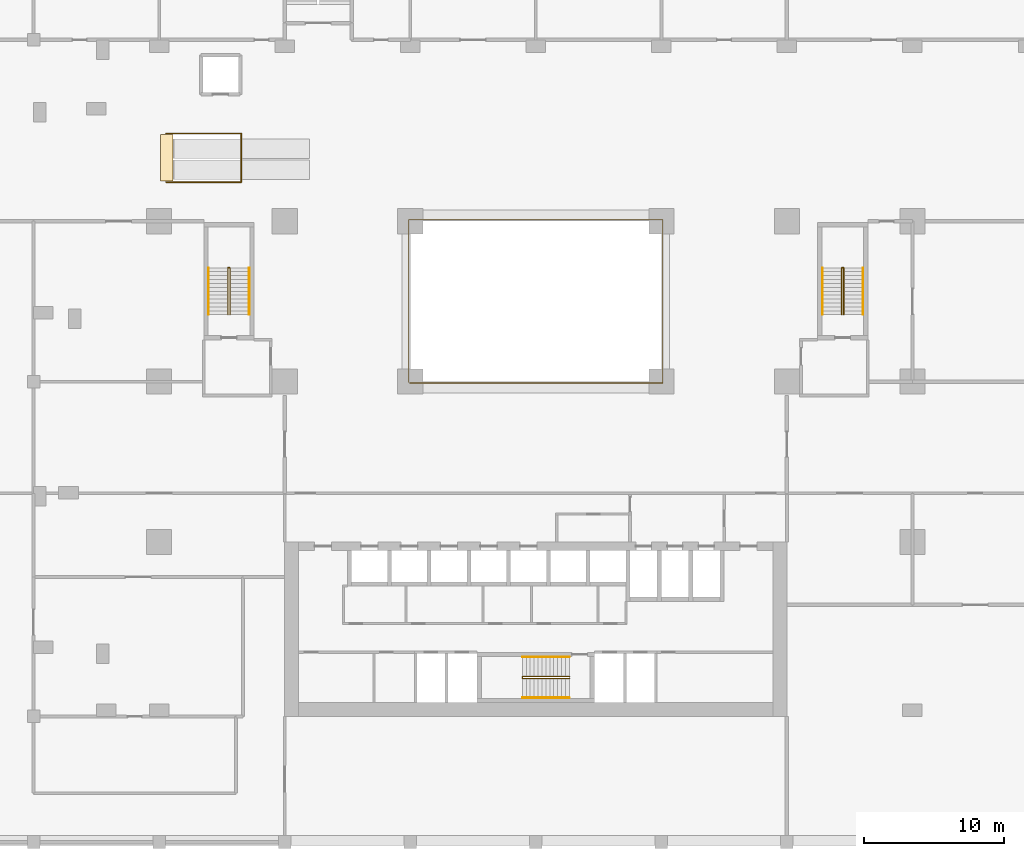
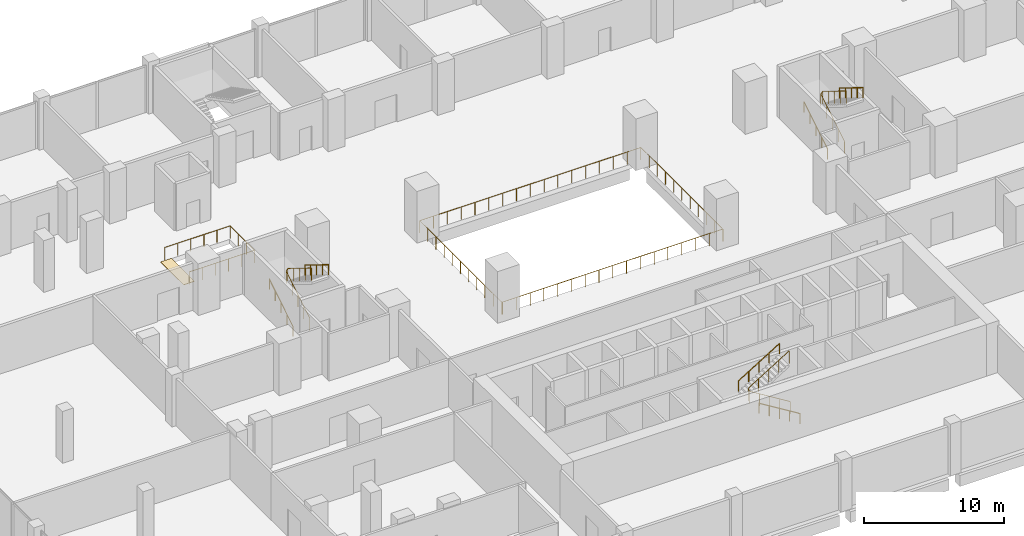
# One storey, part 21 of 22: 11 railings, 1 covering.
"""IFC4 building model written with IfcOpenShell, lengths in metres."""

from ifc_helpers import new_model, si_unit, direction, frame, origin, origin_2d, place, context, subcontext, project, spatial, polyline, circle, outline, extrude, material, layer, layer_set, type_object, element, save


model = new_model("IFC4")

# Units and contexts
model_context = context("Model", 3, precision=1e-05, world=origin(), true_north=direction((0.0, 1.0)))
body_context = subcontext(model_context, "Body", "Model", "MODEL_VIEW")
ifc_project = project(units=[si_unit("LENGTHUNIT", "METRE"), si_unit("AREAUNIT", "SQUARE_METRE"), si_unit("VOLUMEUNIT", "CUBIC_METRE"), si_unit("PLANEANGLEUNIT", "RADIAN"), si_unit("MASSUNIT", "GRAM", prefix="KILO")], contexts=[model_context])

# Site, building, storey
site_placement = place(None, origin())
site = spatial("IfcSite", under=ifc_project, at=site_placement, CompositionType="ELEMENT")
building_placement = place(site_placement, origin())
building = spatial("IfcBuilding", under=site, at=building_placement, Name="Brigalow Station Residences", CompositionType="ELEMENT")
storey_placement = place(building_placement, frame((0.0, 0.0, 6.5)))
storey = spatial("IfcBuildingStorey", under=building, at=storey_placement, Name="L01", CompositionType="ELEMENT", Elevation=6.5)

# Covering
ifc_material_1 = material(Name="Aluminium ribbed floor plate", Category="aluminium")
ifc_layer = layer(ifc_material_1, 0.030029296875)
ifc_layer_set = layer_set([ifc_layer], Name="ESCALATOR LANDING PLATE")
covering_type = type_object("IfcCoveringType", Name="ESCALATOR LANDING PLATE", PredefinedType="FLOORING", material=ifc_layer_set)
covering_placement = place(storey_placement, origin())
element("IfcCovering", 1, at=covering_placement, inside=storey, type_object=covering_type, Name="Escalator landing plate", PredefinedType="FLOORING", context=body_context, shape_type="SweptSolid", body=[
    extrude(outline(polyline([(9.10009765625, 38.39990234375), (10.0, 38.39990234375), (10.0, 41.699951171875), (9.10009765625, 41.699951171875), (9.10009765625, 38.39990234375)])), origin(), (0.0, 0.0, 1.0), 0.030029296875),
])

# Railings
ifc_material_2 = material(Name="Stainless steel and toughened glass", Category="steel")
railing_type_1 = type_object("IfcRailingType", Name="GUARD 1100", PredefinedType="GUARDRAIL", material=ifc_material_2)
railing_1_placement = place(storey_placement, frame((9.5, 38.300048828125, 0.0)))
element("IfcRailing", 2, at=railing_1_placement, inside=storey, type_object=railing_type_1, Name="Escalator well PB guard", PredefinedType="GUARDRAIL", context=body_context, shape_type="SweptSolid", body=[
    extrude(circle(Radius=0.02392578125, at=origin_2d()), frame((0.0, 0.0, 1.076171875), z_axis=(1.0, 0.0, 0.0), x_axis=(0.0, 1.0, 0.0)), (0.0, 0.0, 1.0), 5.3798828125),
    extrude(circle(Radius=0.02392578125, at=origin_2d()), frame((5.3798828125, 0.0, 1.076171875), z_axis=(0.0, 1.0, 0.0), x_axis=(-1.0, 0.0, 0.0)), (0.0, 0.0, 1.0), 3.5),
    extrude(circle(Radius=0.02392578125, at=origin_2d()), frame((5.3798828125, 3.5, 1.076171875), z_axis=(-1.0, 0.0, 0.0), x_axis=(0.0, -1.0, 0.0)), (0.0, 0.0, 1.0), 5.3798828125),
    extrude(circle(Radius=0.02099609375, at=origin_2d()), origin(), (0.0, 0.0, 1.0), 1.052001953125),
    extrude(circle(Radius=0.02099609375, at=origin_2d()), frame((1.075927734375, 0.0, 0.0)), (0.0, 0.0, 1.0), 1.052001953125),
    extrude(circle(Radius=0.02099609375, at=origin_2d()), frame((2.15185546875, 0.0, 0.0)), (0.0, 0.0, 1.0), 1.052001953125),
    extrude(circle(Radius=0.02099609375, at=origin_2d()), frame((3.22802734375, 0.0, 0.0)), (0.0, 0.0, 1.0), 1.052001953125),
    extrude(circle(Radius=0.02099609375, at=origin_2d()), frame((4.303955078125, 0.0, 0.0)), (0.0, 0.0, 1.0), 1.052001953125),
    extrude(circle(Radius=0.02099609375, at=origin_2d()), frame((5.3798828125, 0.0, 0.0)), (0.0, 0.0, 1.0), 1.052001953125),
    extrude(circle(Radius=0.02099609375, at=origin_2d()), frame((5.3798828125, 1.166748046875, 0.0)), (0.0, 0.0, 1.0), 1.052001953125),
    extrude(circle(Radius=0.02099609375, at=origin_2d()), frame((5.3798828125, 2.333251953125, 0.0)), (0.0, 0.0, 1.0), 1.052001953125),
    extrude(circle(Radius=0.02099609375, at=origin_2d()), frame((5.3798828125, 3.5, 0.0)), (0.0, 0.0, 1.0), 1.052001953125),
    extrude(circle(Radius=0.02099609375, at=origin_2d()), frame((4.303955078125, 3.5, 0.0)), (0.0, 0.0, 1.0), 1.052001953125),
    extrude(circle(Radius=0.02099609375, at=origin_2d()), frame((3.22802734375, 3.5, 0.0)), (0.0, 0.0, 1.0), 1.052001953125),
    extrude(circle(Radius=0.02099609375, at=origin_2d()), frame((2.15185546875, 3.5, 0.0)), (0.0, 0.0, 1.0), 1.052001953125),
    extrude(circle(Radius=0.02099609375, at=origin_2d()), frame((1.075927734375, 3.5, 0.0)), (0.0, 0.0, 1.0), 1.052001953125),
    extrude(circle(Radius=0.02099609375, at=origin_2d()), frame((0.0, 3.5, 0.0)), (0.0, 0.0, 1.0), 1.052001953125),
])
railing_2_placement = place(storey_placement, frame((26.9599609375, 23.89990234375, 0.0)))
element("IfcRailing", 3, at=railing_2_placement, inside=storey, type_object=railing_type_1, Name="Atrium void guard", PredefinedType="GUARDRAIL", context=body_context, shape_type="SweptSolid", body=[
    extrude(circle(Radius=0.02392578125, at=origin_2d()), frame((0.0, 0.0, 1.076171875), z_axis=(1.0, 0.0, 0.0), x_axis=(0.0, 1.0, 0.0)), (0.0, 0.0, 1.0), 18.14013671875),
    extrude(circle(Radius=0.02392578125, at=origin_2d()), frame((18.14013671875, 0.0, 1.076171875), z_axis=(0.0, 1.0, 0.0), x_axis=(-1.0, 0.0, 0.0)), (0.0, 0.0, 1.0), 11.7001953125),
    extrude(circle(Radius=0.02392578125, at=origin_2d()), frame((18.14013671875, 11.7001953125, 1.076171875), z_axis=(-1.0, 0.0, 0.0), x_axis=(0.0, -1.0, 0.0)), (0.0, 0.0, 1.0), 18.2001953125),
    extrude(circle(Radius=0.02392578125, at=origin_2d()), frame((-0.06005859375, 11.7001953125, 1.076171875), z_axis=(0.0, -1.0, 0.0), x_axis=(1.0, 0.0, 0.0)), (0.0, 0.0, 1.0), 11.64013671875),
    extrude(circle(Radius=0.02099609375, at=origin_2d()), origin(), (0.0, 0.0, 1.0), 1.052001953125),
    extrude(circle(Radius=0.02099609375, at=origin_2d()), frame((1.1337890625, 0.0, 0.0)), (0.0, 0.0, 1.0), 1.052001953125),
    extrude(circle(Radius=0.02099609375, at=origin_2d()), frame((2.267578125, 0.0, 0.0)), (0.0, 0.0, 1.0), 1.052001953125),
    extrude(circle(Radius=0.02099609375, at=origin_2d()), frame((3.4013671875, 0.0, 0.0)), (0.0, 0.0, 1.0), 1.052001953125),
    extrude(circle(Radius=0.02099609375, at=origin_2d()), frame((4.53515625, 0.0, 0.0)), (0.0, 0.0, 1.0), 1.052001953125),
    extrude(circle(Radius=0.02099609375, at=origin_2d()), frame((5.668701171875, 0.0, 0.0)), (0.0, 0.0, 1.0), 1.052001953125),
    extrude(circle(Radius=0.02099609375, at=origin_2d()), frame((6.802490234375, 0.0, 0.0)), (0.0, 0.0, 1.0), 1.052001953125),
    extrude(circle(Radius=0.02099609375, at=origin_2d()), frame((7.936279296875, 0.0, 0.0)), (0.0, 0.0, 1.0), 1.052001953125),
    extrude(circle(Radius=0.02099609375, at=origin_2d()), frame((9.070068359375, 0.0, 0.0)), (0.0, 0.0, 1.0), 1.052001953125),
    extrude(circle(Radius=0.02099609375, at=origin_2d()), frame((10.203857421875, 0.0, 0.0)), (0.0, 0.0, 1.0), 1.052001953125),
    extrude(circle(Radius=0.02099609375, at=origin_2d()), frame((11.337646484375, 0.0, 0.0)), (0.0, 0.0, 1.0), 1.052001953125),
    extrude(circle(Radius=0.02099609375, at=origin_2d()), frame((12.471435546875, 0.0, 0.0)), (0.0, 0.0, 1.0), 1.052001953125),
    extrude(circle(Radius=0.02099609375, at=origin_2d()), frame((13.60498046875, 0.0, 0.0)), (0.0, 0.0, 1.0), 1.052001953125),
    extrude(circle(Radius=0.02099609375, at=origin_2d()), frame((14.73876953125, 0.0, 0.0)), (0.0, 0.0, 1.0), 1.052001953125),
    extrude(circle(Radius=0.02099609375, at=origin_2d()), frame((15.87255859375, 0.0, 0.0)), (0.0, 0.0, 1.0), 1.052001953125),
    extrude(circle(Radius=0.02099609375, at=origin_2d()), frame((17.00634765625, 0.0, 0.0)), (0.0, 0.0, 1.0), 1.052001953125),
    extrude(circle(Radius=0.02099609375, at=origin_2d()), frame((18.14013671875, 0.0, 0.0)), (0.0, 0.0, 1.0), 1.052001953125),
    extrude(circle(Radius=0.02099609375, at=origin_2d()), frame((18.14013671875, 1.169921875, 0.0)), (0.0, 0.0, 1.0), 1.052001953125),
    extrude(circle(Radius=0.02099609375, at=origin_2d()), frame((18.14013671875, 2.340087890625, 0.0)), (0.0, 0.0, 1.0), 1.052001953125),
    extrude(circle(Radius=0.02099609375, at=origin_2d()), frame((18.14013671875, 3.510009765625, 0.0)), (0.0, 0.0, 1.0), 1.052001953125),
    extrude(circle(Radius=0.02099609375, at=origin_2d()), frame((18.14013671875, 4.68017578125, 0.0)), (0.0, 0.0, 1.0), 1.052001953125),
    extrude(circle(Radius=0.02099609375, at=origin_2d()), frame((18.14013671875, 5.85009765625, 0.0)), (0.0, 0.0, 1.0), 1.052001953125),
    extrude(circle(Radius=0.02099609375, at=origin_2d()), frame((18.14013671875, 7.02001953125, 0.0)), (0.0, 0.0, 1.0), 1.052001953125),
    extrude(circle(Radius=0.02099609375, at=origin_2d()), frame((18.14013671875, 8.190185546875, 0.0)), (0.0, 0.0, 1.0), 1.052001953125),
    extrude(circle(Radius=0.02099609375, at=origin_2d()), frame((18.14013671875, 9.360107421875, 0.0)), (0.0, 0.0, 1.0), 1.052001953125),
    extrude(circle(Radius=0.02099609375, at=origin_2d()), frame((18.14013671875, 10.5302734375, 0.0)), (0.0, 0.0, 1.0), 1.052001953125),
    extrude(circle(Radius=0.02099609375, at=origin_2d()), frame((18.14013671875, 11.7001953125, 0.0)), (0.0, 0.0, 1.0), 1.052001953125),
    extrude(circle(Radius=0.02099609375, at=origin_2d()), frame((17.002685546875, 11.7001953125, 0.0)), (0.0, 0.0, 1.0), 1.052001953125),
    extrude(circle(Radius=0.02099609375, at=origin_2d()), frame((15.865234375, 11.7001953125, 0.0)), (0.0, 0.0, 1.0), 1.052001953125),
    extrude(circle(Radius=0.02099609375, at=origin_2d()), frame((14.7275390625, 11.7001953125, 0.0)), (0.0, 0.0, 1.0), 1.052001953125),
    extrude(circle(Radius=0.02099609375, at=origin_2d()), frame((13.590087890625, 11.7001953125, 0.0)), (0.0, 0.0, 1.0), 1.052001953125),
    extrude(circle(Radius=0.02099609375, at=origin_2d()), frame((12.45263671875, 11.7001953125, 0.0)), (0.0, 0.0, 1.0), 1.052001953125),
    extrude(circle(Radius=0.02099609375, at=origin_2d()), frame((11.31494140625, 11.7001953125, 0.0)), (0.0, 0.0, 1.0), 1.052001953125),
    extrude(circle(Radius=0.02099609375, at=origin_2d()), frame((10.177490234375, 11.7001953125, 0.0)), (0.0, 0.0, 1.0), 1.052001953125),
    extrude(circle(Radius=0.02099609375, at=origin_2d()), frame((9.0400390625, 11.7001953125, 0.0)), (0.0, 0.0, 1.0), 1.052001953125),
    extrude(circle(Radius=0.02099609375, at=origin_2d()), frame((7.902587890625, 11.7001953125, 0.0)), (0.0, 0.0, 1.0), 1.052001953125),
    extrude(circle(Radius=0.02099609375, at=origin_2d()), frame((6.76513671875, 11.7001953125, 0.0)), (0.0, 0.0, 1.0), 1.052001953125),
    extrude(circle(Radius=0.02099609375, at=origin_2d()), frame((5.62744140625, 11.7001953125, 0.0)), (0.0, 0.0, 1.0), 1.052001953125),
    extrude(circle(Radius=0.02099609375, at=origin_2d()), frame((4.489990234375, 11.7001953125, 0.0)), (0.0, 0.0, 1.0), 1.052001953125),
    extrude(circle(Radius=0.02099609375, at=origin_2d()), frame((3.3525390625, 11.7001953125, 0.0)), (0.0, 0.0, 1.0), 1.052001953125),
    extrude(circle(Radius=0.02099609375, at=origin_2d()), frame((2.21484375, 11.7001953125, 0.0)), (0.0, 0.0, 1.0), 1.052001953125),
    extrude(circle(Radius=0.02099609375, at=origin_2d()), frame((1.077392578125, 11.7001953125, 0.0)), (0.0, 0.0, 1.0), 1.052001953125),
    extrude(circle(Radius=0.02099609375, at=origin_2d()), frame((-0.06005859375, 11.7001953125, 0.0)), (0.0, 0.0, 1.0), 1.052001953125),
    extrude(circle(Radius=0.02099609375, at=origin_2d()), frame((-0.06005859375, 10.5361328125, 0.0)), (0.0, 0.0, 1.0), 1.052001953125),
    extrude(circle(Radius=0.02099609375, at=origin_2d()), frame((-0.06005859375, 9.3720703125, 0.0)), (0.0, 0.0, 1.0), 1.052001953125),
    extrude(circle(Radius=0.02099609375, at=origin_2d()), frame((-0.06005859375, 8.208251953125, 0.0)), (0.0, 0.0, 1.0), 1.052001953125),
    extrude(circle(Radius=0.02099609375, at=origin_2d()), frame((-0.06005859375, 7.044189453125, 0.0)), (0.0, 0.0, 1.0), 1.052001953125),
    extrude(circle(Radius=0.02099609375, at=origin_2d()), frame((-0.06005859375, 5.880126953125, 0.0)), (0.0, 0.0, 1.0), 1.052001953125),
    extrude(circle(Radius=0.02099609375, at=origin_2d()), frame((-0.06005859375, 4.716064453125, 0.0)), (0.0, 0.0, 1.0), 1.052001953125),
    extrude(circle(Radius=0.02099609375, at=origin_2d()), frame((-0.06005859375, 3.552001953125, 0.0)), (0.0, 0.0, 1.0), 1.052001953125),
    extrude(circle(Radius=0.02099609375, at=origin_2d()), frame((-0.06005859375, 2.38818359375, 0.0)), (0.0, 0.0, 1.0), 1.052001953125),
    extrude(circle(Radius=0.02099609375, at=origin_2d()), frame((-0.06005859375, 1.22412109375, 0.0)), (0.0, 0.0, 1.0), 1.052001953125),
    extrude(circle(Radius=0.02099609375, at=origin_2d()), frame((-0.06005859375, 0.06005859375, 0.0)), (0.0, 0.0, 1.0), 1.052001953125),
])
ifc_material_3 = material(Name="Stainless steel balustrade", Category="steel")
railing_type_2 = type_object("IfcRailingType", Name="STAIR GUARD 1100", PredefinedType="GUARDRAIL", material=ifc_material_3)
railing_3_placement = place(storey_placement, frame((38.39990234375, 2.72998046875, 0.173095703125)))
element("IfcRailing", 4, at=railing_3_placement, inside=storey, type_object=railing_type_2, Name="GUARD GR-2", PredefinedType="GUARDRAIL", context=body_context, shape_type="SweptSolid", body=[
    extrude(circle(Radius=0.02392578125, at=origin_2d()), frame((0.0, 0.0, 1.076171875), z_axis=(-0.850606129759, 0.0, 0.525803396734), x_axis=(0.0, -1.0, 0.0)), (0.0, 0.0, 1.0), 3.949951171875),
    extrude(circle(Radius=0.02392578125, at=origin_2d()), frame((-3.35986328125, 0.0, 3.15283203125), z_axis=(0.0, 0.62922976322, 0.777219341678), x_axis=(-1.0, 0.0, 0.0)), (0.0, 0.0, 1.0), 0.22265625),
    extrude(circle(Radius=0.02392578125, at=origin_2d()), frame((-3.35986328125, 0.14013671875, 3.326171875), z_axis=(0.850606129759, 0.0, 0.525803396734), x_axis=(0.0, 1.0, 0.0)), (0.0, 0.0, 1.0), 3.949951171875),
    extrude(circle(Radius=0.02099609375, at=origin_2d()), origin(), (0.0, 0.0, 1.0), 1.052001953125),
    extrude(circle(Radius=0.02099609375, at=origin_2d()), frame((-0.83984375, 0.0, 0.519287109375)), (0.0, 0.0, 1.0), 1.052001953125),
    extrude(circle(Radius=0.02099609375, at=origin_2d()), frame((-1.679931640625, 0.0, 1.03857421875)), (0.0, 0.0, 1.0), 1.052001953125),
    extrude(circle(Radius=0.02099609375, at=origin_2d()), frame((-2.52001953125, 0.0, 1.5576171875)), (0.0, 0.0, 1.0), 1.052001953125),
    extrude(circle(Radius=0.02099609375, at=origin_2d()), frame((-3.35986328125, 0.0, 2.076904296875)), (0.0, 0.0, 1.0), 1.052001953125),
    extrude(circle(Radius=0.02099609375, at=origin_2d()), frame((-3.35986328125, 0.14013671875, 2.25)), (0.0, 0.0, 1.0), 1.052001953125),
    extrude(circle(Radius=0.02099609375, at=origin_2d()), frame((-2.52001953125, 0.14013671875, 2.769287109375)), (0.0, 0.0, 1.0), 1.052001953125),
    extrude(circle(Radius=0.02099609375, at=origin_2d()), frame((-1.679931640625, 0.14013671875, 3.28857421875)), (0.0, 0.0, 1.0), 1.052001953125),
    extrude(circle(Radius=0.02099609375, at=origin_2d()), frame((-0.83984375, 0.14013671875, 3.8076171875)), (0.0, 0.0, 1.0), 1.052001953125),
    extrude(circle(Radius=0.02099609375, at=origin_2d()), frame((0.0, 0.14013671875, 4.326904296875)), (0.0, 0.0, 1.0), 1.052001953125),
])
railing_4_placement = place(storey_placement, frame((13.929931640625, 28.800048828125, 0.173095703125)))
element("IfcRailing", 5, at=railing_4_placement, inside=storey, type_object=railing_type_2, Name="GUARD GR-1", PredefinedType="GUARDRAIL", context=body_context, shape_type="SweptSolid", body=[
    extrude(circle(Radius=0.02392578125, at=origin_2d()), frame((0.0, 0.0, 1.076171875), z_axis=(0.0, 0.850606129759, 0.525803396734), x_axis=(-1.0, 0.0, 0.0)), (0.0, 0.0, 1.0), 3.949951171875),
    extrude(circle(Radius=0.02392578125, at=origin_2d()), frame((0.0, 3.35986328125, 3.15283203125), z_axis=(0.62922976322, 0.0, 0.777219341678), x_axis=(0.0, 1.0, 0.0)), (0.0, 0.0, 1.0), 0.22265625),
    extrude(circle(Radius=0.02392578125, at=origin_2d()), frame((0.14013671875, 3.35986328125, 3.326171875), z_axis=(0.0, -0.850606129759, 0.525803396734), x_axis=(1.0, 0.0, 0.0)), (0.0, 0.0, 1.0), 3.949951171875),
    extrude(circle(Radius=0.02099609375, at=origin_2d()), origin(), (0.0, 0.0, 1.0), 1.052001953125),
    extrude(circle(Radius=0.02099609375, at=origin_2d()), frame((0.0, 0.83984375, 0.519287109375)), (0.0, 0.0, 1.0), 1.052001953125),
    extrude(circle(Radius=0.02099609375, at=origin_2d()), frame((0.0, 1.679931640625, 1.03857421875)), (0.0, 0.0, 1.0), 1.052001953125),
    extrude(circle(Radius=0.02099609375, at=origin_2d()), frame((0.0, 2.52001953125, 1.5576171875)), (0.0, 0.0, 1.0), 1.052001953125),
    extrude(circle(Radius=0.02099609375, at=origin_2d()), frame((0.0, 3.35986328125, 2.076904296875)), (0.0, 0.0, 1.0), 1.052001953125),
    extrude(circle(Radius=0.02099609375, at=origin_2d()), frame((0.14013671875, 3.35986328125, 2.25)), (0.0, 0.0, 1.0), 1.052001953125),
    extrude(circle(Radius=0.02099609375, at=origin_2d()), frame((0.14013671875, 2.52001953125, 2.769287109375)), (0.0, 0.0, 1.0), 1.052001953125),
    extrude(circle(Radius=0.02099609375, at=origin_2d()), frame((0.14013671875, 1.679931640625, 3.28857421875)), (0.0, 0.0, 1.0), 1.052001953125),
    extrude(circle(Radius=0.02099609375, at=origin_2d()), frame((0.14013671875, 0.83984375, 3.8076171875)), (0.0, 0.0, 1.0), 1.052001953125),
    extrude(circle(Radius=0.02099609375, at=origin_2d()), frame((0.14013671875, 0.0, 4.326904296875)), (0.0, 0.0, 1.0), 1.052001953125),
])
railing_5_placement = place(storey_placement, frame((57.929931640625, 28.800048828125, 0.173095703125)))
element("IfcRailing", 6, at=railing_5_placement, inside=storey, type_object=railing_type_2, Name="GUARD GR-3", PredefinedType="GUARDRAIL", context=body_context, shape_type="SweptSolid", body=[
    extrude(circle(Radius=0.02392578125, at=origin_2d()), frame((0.0, 0.0, 1.076171875), z_axis=(0.0, 0.850606129759, 0.525803396734), x_axis=(-1.0, 0.0, 0.0)), (0.0, 0.0, 1.0), 3.949951171875),
    extrude(circle(Radius=0.02392578125, at=origin_2d()), frame((0.0, 3.35986328125, 3.15283203125), z_axis=(0.62922976322, 0.0, 0.777219341678), x_axis=(0.0, 1.0, 0.0)), (0.0, 0.0, 1.0), 0.22265625),
    extrude(circle(Radius=0.02392578125, at=origin_2d()), frame((0.14013671875, 3.35986328125, 3.326171875), z_axis=(0.0, -0.850606129759, 0.525803396734), x_axis=(1.0, 0.0, 0.0)), (0.0, 0.0, 1.0), 3.949951171875),
    extrude(circle(Radius=0.02099609375, at=origin_2d()), origin(), (0.0, 0.0, 1.0), 1.052001953125),
    extrude(circle(Radius=0.02099609375, at=origin_2d()), frame((0.0, 0.83984375, 0.519287109375)), (0.0, 0.0, 1.0), 1.052001953125),
    extrude(circle(Radius=0.02099609375, at=origin_2d()), frame((0.0, 1.679931640625, 1.03857421875)), (0.0, 0.0, 1.0), 1.052001953125),
    extrude(circle(Radius=0.02099609375, at=origin_2d()), frame((0.0, 2.52001953125, 1.5576171875)), (0.0, 0.0, 1.0), 1.052001953125),
    extrude(circle(Radius=0.02099609375, at=origin_2d()), frame((0.0, 3.35986328125, 2.076904296875)), (0.0, 0.0, 1.0), 1.052001953125),
    extrude(circle(Radius=0.02099609375, at=origin_2d()), frame((0.14013671875, 3.35986328125, 2.25)), (0.0, 0.0, 1.0), 1.052001953125),
    extrude(circle(Radius=0.02099609375, at=origin_2d()), frame((0.14013671875, 2.52001953125, 2.769287109375)), (0.0, 0.0, 1.0), 1.052001953125),
    extrude(circle(Radius=0.02099609375, at=origin_2d()), frame((0.14013671875, 1.679931640625, 3.28857421875)), (0.0, 0.0, 1.0), 1.052001953125),
    extrude(circle(Radius=0.02099609375, at=origin_2d()), frame((0.14013671875, 0.83984375, 3.8076171875)), (0.0, 0.0, 1.0), 1.052001953125),
    extrude(circle(Radius=0.02099609375, at=origin_2d()), frame((0.14013671875, 0.0, 4.326904296875)), (0.0, 0.0, 1.0), 1.052001953125),
])
ifc_material_4 = material(Name="Stainless steel handrail", Category="steel")
railing_type_3 = type_object("IfcRailingType", Name="STAIR HANDRAIL 900", PredefinedType="HANDRAIL", material=ifc_material_4)
railing_6_placement = place(storey_placement, frame((38.39990234375, 1.340087890625, 0.173095703125)))
element("IfcRailing", 7, at=railing_6_placement, inside=storey, type_object=railing_type_3, Name="HANDRAIL HR-21", PredefinedType="HANDRAIL", context=body_context, shape_type="SweptSolid", body=[
    extrude(circle(Radius=0.02392578125, at=origin_2d()), frame((0.0, 0.0, 0.8759765625), z_axis=(-0.850606129759, 0.0, 0.525803396734), x_axis=(0.0, -1.0, 0.0)), (0.0, 0.0, 1.0), 3.949951171875),
    extrude(circle(Radius=0.02099609375, at=origin_2d()), origin(), (0.0, 0.0, 1.0), 0.851806640625),
    extrude(circle(Radius=0.02099609375, at=origin_2d()), frame((-0.83984375, 0.0, 0.519287109375)), (0.0, 0.0, 1.0), 0.851806640625),
    extrude(circle(Radius=0.02099609375, at=origin_2d()), frame((-1.679931640625, 0.0, 1.03857421875)), (0.0, 0.0, 1.0), 0.851806640625),
    extrude(circle(Radius=0.02099609375, at=origin_2d()), frame((-2.52001953125, 0.0, 1.5576171875)), (0.0, 0.0, 1.0), 0.851806640625),
    extrude(circle(Radius=0.02099609375, at=origin_2d()), frame((-3.35986328125, 0.0, 2.076904296875)), (0.0, 0.0, 1.0), 0.851806640625),
])
railing_7_placement = place(storey_placement, frame((35.0400390625, 4.260009765625, 2.423095703125)))
element("IfcRailing", 8, at=railing_7_placement, inside=storey, type_object=railing_type_3, Name="HANDRAIL HR-22", PredefinedType="HANDRAIL", context=body_context, shape_type="SweptSolid", body=[
    extrude(circle(Radius=0.02392578125, at=origin_2d()), frame((0.0, 0.0, 0.8759765625), z_axis=(0.850606129759, 0.0, 0.525803396734), x_axis=(0.0, 1.0, 0.0)), (0.0, 0.0, 1.0), 3.949951171875),
    extrude(circle(Radius=0.02099609375, at=origin_2d()), origin(), (0.0, 0.0, 1.0), 0.851806640625),
    extrude(circle(Radius=0.02099609375, at=origin_2d()), frame((0.83984375, 0.0, 0.519287109375)), (0.0, 0.0, 1.0), 0.851806640625),
    extrude(circle(Radius=0.02099609375, at=origin_2d()), frame((1.679931640625, 0.0, 1.03857421875)), (0.0, 0.0, 1.0), 0.851806640625),
    extrude(circle(Radius=0.02099609375, at=origin_2d()), frame((2.52001953125, 0.0, 1.5576171875)), (0.0, 0.0, 1.0), 0.851806640625),
    extrude(circle(Radius=0.02099609375, at=origin_2d()), frame((3.35986328125, 0.0, 2.076904296875)), (0.0, 0.0, 1.0), 0.851806640625),
])
railing_8_placement = place(storey_placement, frame((12.5400390625, 28.800048828125, 0.173095703125)))
element("IfcRailing", 9, at=railing_8_placement, inside=storey, type_object=railing_type_3, Name="HANDRAIL HR-11", PredefinedType="HANDRAIL", context=body_context, shape_type="SweptSolid", body=[
    extrude(circle(Radius=0.02392578125, at=origin_2d()), frame((0.0, 0.0, 0.8759765625), z_axis=(0.0, 0.850606129759, 0.525803396734), x_axis=(-1.0, 0.0, 0.0)), (0.0, 0.0, 1.0), 3.949951171875),
    extrude(circle(Radius=0.02099609375, at=origin_2d()), origin(), (0.0, 0.0, 1.0), 0.851806640625),
    extrude(circle(Radius=0.02099609375, at=origin_2d()), frame((0.0, 0.83984375, 0.519287109375)), (0.0, 0.0, 1.0), 0.851806640625),
    extrude(circle(Radius=0.02099609375, at=origin_2d()), frame((0.0, 1.679931640625, 1.03857421875)), (0.0, 0.0, 1.0), 0.851806640625),
    extrude(circle(Radius=0.02099609375, at=origin_2d()), frame((0.0, 2.52001953125, 1.5576171875)), (0.0, 0.0, 1.0), 0.851806640625),
    extrude(circle(Radius=0.02099609375, at=origin_2d()), frame((0.0, 3.35986328125, 2.076904296875)), (0.0, 0.0, 1.0), 0.851806640625),
])
railing_9_placement = place(storey_placement, frame((15.4599609375, 32.159912109375, 2.423095703125)))
element("IfcRailing", 10, at=railing_9_placement, inside=storey, type_object=railing_type_3, Name="HANDRAIL HR-12", PredefinedType="HANDRAIL", context=body_context, shape_type="SweptSolid", body=[
    extrude(circle(Radius=0.02392578125, at=origin_2d()), frame((0.0, 0.0, 0.8759765625), z_axis=(0.0, -0.850606129759, 0.525803396734), x_axis=(1.0, 0.0, 0.0)), (0.0, 0.0, 1.0), 3.949951171875),
    extrude(circle(Radius=0.02099609375, at=origin_2d()), origin(), (0.0, 0.0, 1.0), 0.851806640625),
    extrude(circle(Radius=0.02099609375, at=origin_2d()), frame((0.0, -0.83984375, 0.519287109375)), (0.0, 0.0, 1.0), 0.851806640625),
    extrude(circle(Radius=0.02099609375, at=origin_2d()), frame((0.0, -1.679931640625, 1.03857421875)), (0.0, 0.0, 1.0), 0.851806640625),
    extrude(circle(Radius=0.02099609375, at=origin_2d()), frame((0.0, -2.52001953125, 1.5576171875)), (0.0, 0.0, 1.0), 0.851806640625),
    extrude(circle(Radius=0.02099609375, at=origin_2d()), frame((0.0, -3.35986328125, 2.076904296875)), (0.0, 0.0, 1.0), 0.851806640625),
])
railing_10_placement = place(storey_placement, frame((56.5400390625, 28.800048828125, 0.173095703125)))
element("IfcRailing", 11, at=railing_10_placement, inside=storey, type_object=railing_type_3, Name="HANDRAIL HR-31", PredefinedType="HANDRAIL", context=body_context, shape_type="SweptSolid", body=[
    extrude(circle(Radius=0.02392578125, at=origin_2d()), frame((0.0, 0.0, 0.8759765625), z_axis=(0.0, 0.850606129759, 0.525803396734), x_axis=(-1.0, 0.0, 0.0)), (0.0, 0.0, 1.0), 3.949951171875),
    extrude(circle(Radius=0.02099609375, at=origin_2d()), origin(), (0.0, 0.0, 1.0), 0.851806640625),
    extrude(circle(Radius=0.02099609375, at=origin_2d()), frame((0.0, 0.83984375, 0.519287109375)), (0.0, 0.0, 1.0), 0.851806640625),
    extrude(circle(Radius=0.02099609375, at=origin_2d()), frame((0.0, 1.679931640625, 1.03857421875)), (0.0, 0.0, 1.0), 0.851806640625),
    extrude(circle(Radius=0.02099609375, at=origin_2d()), frame((0.0, 2.52001953125, 1.5576171875)), (0.0, 0.0, 1.0), 0.851806640625),
    extrude(circle(Radius=0.02099609375, at=origin_2d()), frame((0.0, 3.35986328125, 2.076904296875)), (0.0, 0.0, 1.0), 0.851806640625),
])
railing_11_placement = place(storey_placement, frame((59.4599609375, 32.159912109375, 2.423095703125)))
element("IfcRailing", 12, at=railing_11_placement, inside=storey, type_object=railing_type_3, Name="HANDRAIL HR-32", PredefinedType="HANDRAIL", context=body_context, shape_type="SweptSolid", body=[
    extrude(circle(Radius=0.02392578125, at=origin_2d()), frame((0.0, 0.0, 0.8759765625), z_axis=(0.0, -0.850606129759, 0.525803396734), x_axis=(1.0, 0.0, 0.0)), (0.0, 0.0, 1.0), 3.949951171875),
    extrude(circle(Radius=0.02099609375, at=origin_2d()), origin(), (0.0, 0.0, 1.0), 0.851806640625),
    extrude(circle(Radius=0.02099609375, at=origin_2d()), frame((0.0, -0.83984375, 0.519287109375)), (0.0, 0.0, 1.0), 0.851806640625),
    extrude(circle(Radius=0.02099609375, at=origin_2d()), frame((0.0, -1.679931640625, 1.03857421875)), (0.0, 0.0, 1.0), 0.851806640625),
    extrude(circle(Radius=0.02099609375, at=origin_2d()), frame((0.0, -2.52001953125, 1.5576171875)), (0.0, 0.0, 1.0), 0.851806640625),
    extrude(circle(Radius=0.02099609375, at=origin_2d()), frame((0.0, -3.35986328125, 2.076904296875)), (0.0, 0.0, 1.0), 0.851806640625),
])

save(model, "model.ifc")
